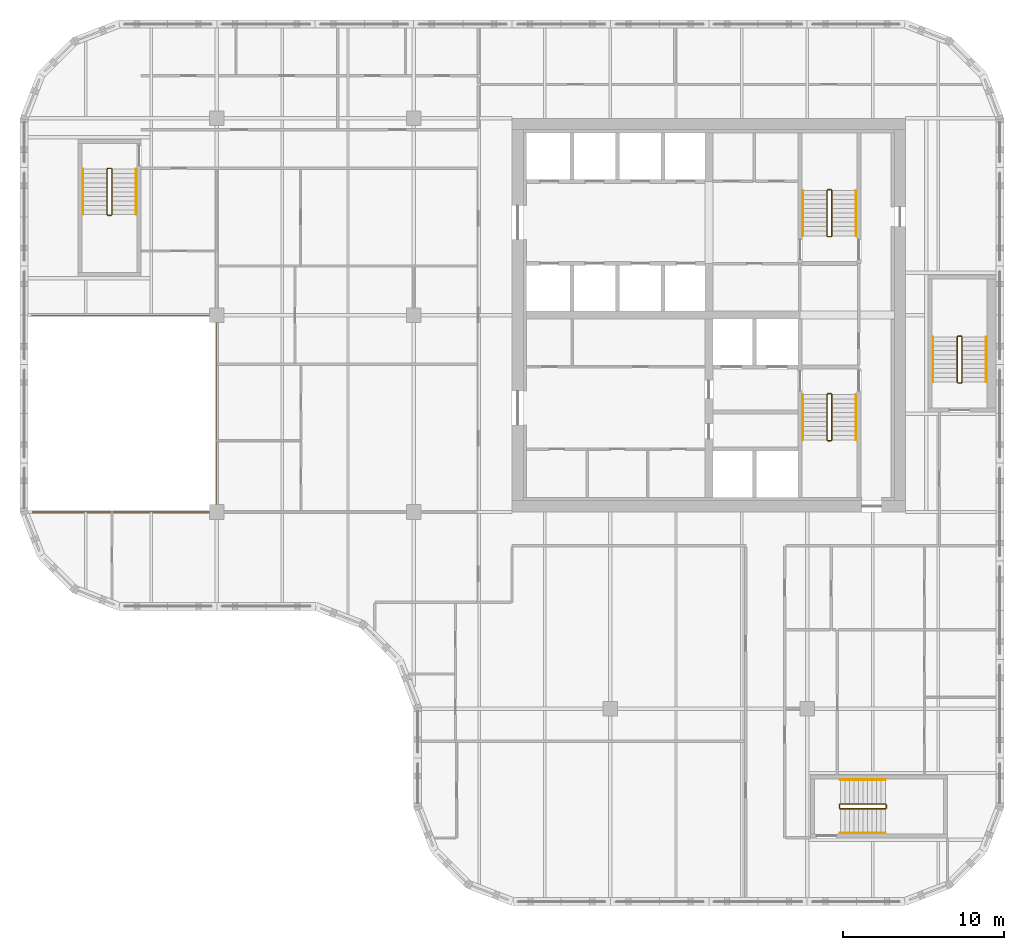
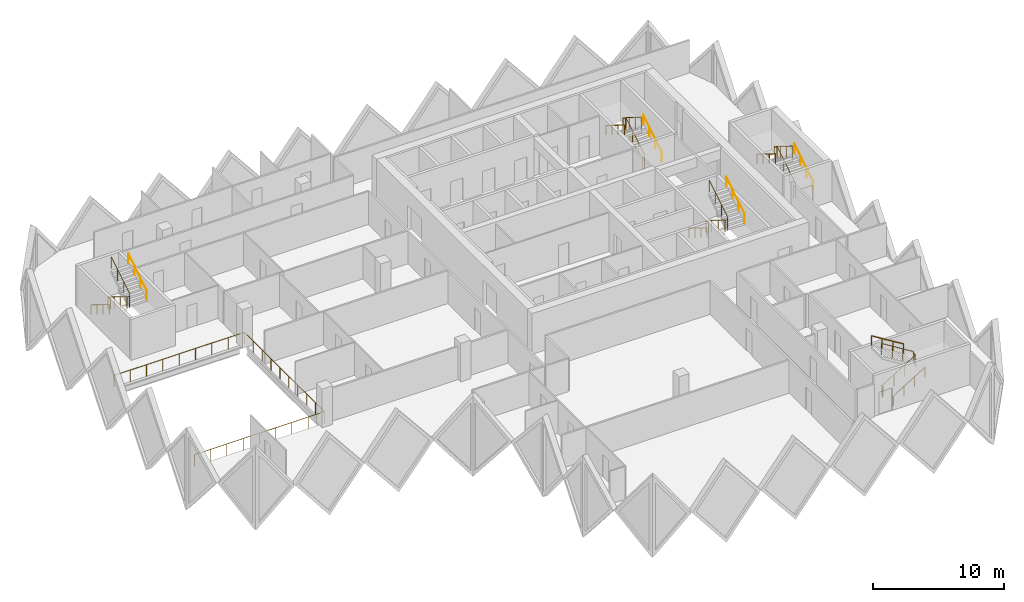
# One storey, part 12 of 12: 16 railings.
"""IFC4 building model written with IfcOpenShell, lengths in metres."""

from ifc_helpers import new_model, si_unit, direction, frame, origin, origin_2d, place, context, subcontext, project, spatial, circle, extrude, material, type_object, element, save


model = new_model("IFC4")

# Units and contexts
model_context = context("Model", 3, precision=1e-05, world=origin(), true_north=direction((0.0, 1.0)))
body_context = subcontext(model_context, "Body", "Model", "MODEL_VIEW")
ifc_project = project(units=[si_unit("LENGTHUNIT", "METRE"), si_unit("AREAUNIT", "SQUARE_METRE"), si_unit("VOLUMEUNIT", "CUBIC_METRE"), si_unit("PLANEANGLEUNIT", "RADIAN"), si_unit("MASSUNIT", "GRAM", prefix="KILO")], contexts=[model_context])

# Site, building, storey
site_placement = place(None, origin())
site = spatial("IfcSite", under=ifc_project, at=site_placement, CompositionType="ELEMENT")
building_placement = place(site_placement, origin())
building = spatial("IfcBuilding", under=site, at=building_placement, Name="Tessera Gate Towers", CompositionType="ELEMENT")
storey_placement = place(building_placement, frame((0.0, 0.0, 139.199951171875)))
storey = spatial("IfcBuildingStorey", under=building, at=storey_placement, Name="L34", CompositionType="ELEMENT", Elevation=139.199951171875)

# Railings
ifc_material_1 = material(Name="Toughened glass with stainless steel handrail", Category="steel")
railing_type_1 = type_object("IfcRailingType", Name="GUARD 1100 GLASS BALUSTRADE", PredefinedType="GUARDRAIL", material=ifc_material_1)
railing_1_placement = place(storey_placement, frame((0.750244140625, 24.39990234375, 0.0)))
element("IfcRailing", 1, at=railing_1_placement, inside=storey, type_object=railing_type_1, Name="Guard", PredefinedType="GUARDRAIL", context=body_context, shape_type="SweptSolid", body=[
    extrude(circle(Radius=0.02490234375, at=origin_2d()), frame((0.0, 0.0, 1.0751953125), z_axis=(1.0, 0.0, 0.0), x_axis=(0.0, 1.0, 0.0)), (0.0, 0.0, 1.0), 11.44970703125),
    extrude(circle(Radius=0.02490234375, at=origin_2d()), frame((11.44970703125, 0.0, 1.0751953125), z_axis=(0.0, 1.0, 0.0), x_axis=(-1.0, 0.0, 0.0)), (0.0, 0.0, 1.0), 12.2001953125),
    extrude(circle(Radius=0.02490234375, at=origin_2d()), frame((11.44970703125, 12.2001953125, 1.0751953125), z_axis=(-1.0, 0.0, 0.0), x_axis=(0.0, -1.0, 0.0)), (0.0, 0.0, 1.0), 11.5),
    extrude(circle(Radius=0.02490234375, at=origin_2d()), origin(), (0.0, 0.0, 1.0), 1.050048828125),
    extrude(circle(Radius=0.02490234375, at=origin_2d()), frame((1.43115234375, 0.0, 0.0)), (0.0, 0.0, 1.0), 1.050048828125),
    extrude(circle(Radius=0.02490234375, at=origin_2d()), frame((2.8623046875, 0.0, 0.0)), (0.0, 0.0, 1.0), 1.050048828125),
    extrude(circle(Radius=0.02490234375, at=origin_2d()), frame((4.293701171875, 0.0, 0.0)), (0.0, 0.0, 1.0), 1.050048828125),
    extrude(circle(Radius=0.02490234375, at=origin_2d()), frame((5.724853515625, 0.0, 0.0)), (0.0, 0.0, 1.0), 1.050048828125),
    extrude(circle(Radius=0.02490234375, at=origin_2d()), frame((7.156005859375, 0.0, 0.0)), (0.0, 0.0, 1.0), 1.050048828125),
    extrude(circle(Radius=0.02490234375, at=origin_2d()), frame((8.58740234375, 0.0, 0.0)), (0.0, 0.0, 1.0), 1.050048828125),
    extrude(circle(Radius=0.02490234375, at=origin_2d()), frame((10.0185546875, 0.0, 0.0)), (0.0, 0.0, 1.0), 1.050048828125),
    extrude(circle(Radius=0.02490234375, at=origin_2d()), frame((11.44970703125, 0.0, 0.0)), (0.0, 0.0, 1.0), 1.050048828125),
    extrude(circle(Radius=0.02490234375, at=origin_2d()), frame((11.44970703125, 1.35546875, 0.0)), (0.0, 0.0, 1.0), 1.050048828125),
    extrude(circle(Radius=0.02490234375, at=origin_2d()), frame((11.44970703125, 2.711181640625, 0.0)), (0.0, 0.0, 1.0), 1.050048828125),
    extrude(circle(Radius=0.02490234375, at=origin_2d()), frame((11.44970703125, 4.066650390625, 0.0)), (0.0, 0.0, 1.0), 1.050048828125),
    extrude(circle(Radius=0.02490234375, at=origin_2d()), frame((11.44970703125, 5.42236328125, 0.0)), (0.0, 0.0, 1.0), 1.050048828125),
    extrude(circle(Radius=0.02490234375, at=origin_2d()), frame((11.44970703125, 6.77783203125, 0.0)), (0.0, 0.0, 1.0), 1.050048828125),
    extrude(circle(Radius=0.02490234375, at=origin_2d()), frame((11.44970703125, 8.133544921875, 0.0)), (0.0, 0.0, 1.0), 1.050048828125),
    extrude(circle(Radius=0.02490234375, at=origin_2d()), frame((11.44970703125, 9.489013671875, 0.0)), (0.0, 0.0, 1.0), 1.050048828125),
    extrude(circle(Radius=0.02490234375, at=origin_2d()), frame((11.44970703125, 10.8447265625, 0.0)), (0.0, 0.0, 1.0), 1.050048828125),
    extrude(circle(Radius=0.02490234375, at=origin_2d()), frame((11.44970703125, 12.2001953125, 0.0)), (0.0, 0.0, 1.0), 1.050048828125),
    extrude(circle(Radius=0.02490234375, at=origin_2d()), frame((10.01220703125, 12.2001953125, 0.0)), (0.0, 0.0, 1.0), 1.050048828125),
    extrude(circle(Radius=0.02490234375, at=origin_2d()), frame((8.57470703125, 12.2001953125, 0.0)), (0.0, 0.0, 1.0), 1.050048828125),
    extrude(circle(Radius=0.02490234375, at=origin_2d()), frame((7.13720703125, 12.2001953125, 0.0)), (0.0, 0.0, 1.0), 1.050048828125),
    extrude(circle(Radius=0.02490234375, at=origin_2d()), frame((5.69970703125, 12.2001953125, 0.0)), (0.0, 0.0, 1.0), 1.050048828125),
    extrude(circle(Radius=0.02490234375, at=origin_2d()), frame((4.26220703125, 12.2001953125, 0.0)), (0.0, 0.0, 1.0), 1.050048828125),
    extrude(circle(Radius=0.02490234375, at=origin_2d()), frame((2.82470703125, 12.2001953125, 0.0)), (0.0, 0.0, 1.0), 1.050048828125),
    extrude(circle(Radius=0.02490234375, at=origin_2d()), frame((1.38720703125, 12.2001953125, 0.0)), (0.0, 0.0, 1.0), 1.050048828125),
    extrude(circle(Radius=0.02490234375, at=origin_2d()), frame((-0.05029296875, 12.2001953125, 0.0)), (0.0, 0.0, 1.0), 1.050048828125),
])
ifc_material_2 = material(Name="Steel 350W", Category="steel")
railing_type_2 = type_object("IfcRailingType", Name="STAIR GUARD 1100", PredefinedType="GUARDRAIL", material=ifc_material_2)
railing_2_placement = place(storey_placement, frame((50.27490234375, 31.72509765625, 0.0)))
element("IfcRailing", 2, at=railing_2_placement, inside=storey, type_object=railing_type_2, Name="L34 ST1 stair guard 1", PredefinedType="GUARDRAIL", context=body_context, shape_type="SweptSolid", body=[
    extrude(circle(Radius=0.02392578125, at=origin_2d()), frame((0.0, 0.0, 1.076171875), z_axis=(-1.0, 0.0, 0.0), x_axis=(0.0, -1.0, 0.0)), (0.0, 0.0, 1.0), 0.199951171875),
    extrude(circle(Radius=0.02392578125, at=origin_2d()), frame((-0.199951171875, 0.0, 1.076171875), z_axis=(-0.267953482034, -0.267953482034, 0.925419830635), x_axis=(0.707106781187, -0.707106781187, 0.0)), (0.0, 0.0, 1.0), 0.186767578125),
    extrude(circle(Radius=0.02392578125, at=origin_2d()), frame((-0.25, -0.050048828125, 1.2490234375), z_axis=(0.0, -0.851089632645, 0.525020415988), x_axis=(1.0, 0.0, 0.0)), (0.0, 0.0, 1.0), 3.2900390625),
    extrude(circle(Radius=0.02392578125, at=origin_2d()), frame((-0.25, -2.85009765625, 2.97607421875), z_axis=(0.707106781187, -0.707106781187, 0.0), x_axis=(0.707106781187, 0.707106781187, 0.0)), (0.0, 0.0, 1.0), 0.07080078125),
    extrude(circle(Radius=0.02392578125, at=origin_2d()), frame((-0.199951171875, -2.900146484375, 2.97607421875), z_axis=(1.0, 0.0, 0.0), x_axis=(0.0, 1.0, 0.0)), (0.0, 0.0, 1.0), 0.199951171875),
    extrude(circle(Radius=0.02392578125, at=origin_2d()), frame((0.0, -2.900146484375, 2.97607421875), z_axis=(0.268277960024, 0.268277960024, 0.925231793839), x_axis=(-0.707106781187, 0.707106781187, 0.0)), (0.0, 0.0, 1.0), 0.1865234375),
    extrude(circle(Radius=0.02392578125, at=origin_2d()), frame((0.050048828125, -2.85009765625, 3.14892578125), z_axis=(0.0, 0.851089632645, 0.525020415988), x_axis=(-1.0, 0.0, 0.0)), (0.0, 0.0, 1.0), 3.2900390625),
    extrude(circle(Radius=0.02099609375, at=origin_2d()), origin(), (0.0, 0.0, 1.0), 1.052001953125),
    extrude(circle(Radius=0.02099609375, at=origin_2d()), frame((-0.199951171875, 0.0, 0.0)), (0.0, 0.0, 1.0), 1.052001953125),
    extrude(circle(Radius=0.02099609375, at=origin_2d()), frame((-0.25, -0.050048828125, 0.1728515625)), (0.0, 0.0, 1.0), 1.052001953125),
    extrude(circle(Radius=0.02099609375, at=origin_2d()), frame((-0.25, -0.9833984375, 0.74853515625)), (0.0, 0.0, 1.0), 1.052001953125),
    extrude(circle(Radius=0.02099609375, at=origin_2d()), frame((-0.25, -1.916748046875, 1.324462890625)), (0.0, 0.0, 1.0), 1.052001953125),
    extrude(circle(Radius=0.02099609375, at=origin_2d()), frame((-0.25, -2.85009765625, 1.900146484375)), (0.0, 0.0, 1.0), 1.052001953125),
    extrude(circle(Radius=0.02099609375, at=origin_2d()), frame((-0.199951171875, -2.900146484375, 1.900146484375)), (0.0, 0.0, 1.0), 1.052001953125),
    extrude(circle(Radius=0.02099609375, at=origin_2d()), frame((0.0, -2.900146484375, 1.900146484375)), (0.0, 0.0, 1.0), 1.052001953125),
    extrude(circle(Radius=0.02099609375, at=origin_2d()), frame((0.050048828125, -2.85009765625, 2.07275390625)), (0.0, 0.0, 1.0), 1.052001953125),
    extrude(circle(Radius=0.02099609375, at=origin_2d()), frame((0.050048828125, -1.916748046875, 2.6484375)), (0.0, 0.0, 1.0), 1.052001953125),
    extrude(circle(Radius=0.02099609375, at=origin_2d()), frame((0.050048828125, -0.9833984375, 3.224365234375)), (0.0, 0.0, 1.0), 1.052001953125),
    extrude(circle(Radius=0.02099609375, at=origin_2d()), frame((0.050048828125, -0.050048828125, 3.800048828125)), (0.0, 0.0, 1.0), 1.052001953125),
])
railing_3_placement = place(storey_placement, frame((50.074951171875, 41.47509765625, 0.0)))
element("IfcRailing", 3, at=railing_3_placement, inside=storey, type_object=railing_type_2, Name="L34 ST2 stair guard 1", PredefinedType="GUARDRAIL", context=body_context, shape_type="SweptSolid", body=[
    extrude(circle(Radius=0.02392578125, at=origin_2d()), frame((0.0, 0.0, 1.076171875), z_axis=(1.0, 0.0, 0.0), x_axis=(0.0, 1.0, 0.0)), (0.0, 0.0, 1.0), 0.199951171875),
    extrude(circle(Radius=0.02392578125, at=origin_2d()), frame((0.199951171875, 0.0, 1.076171875), z_axis=(0.268047150085, 0.266739603011, 0.925743328097), x_axis=(-0.705375805398, 0.708833529934, 0.0)), (0.0, 0.0, 1.0), 0.186767578125),
    extrude(circle(Radius=0.02392578125, at=origin_2d()), frame((0.25, 0.0498046875, 1.2490234375), z_axis=(0.0, 0.851089632645, 0.525020415988), x_axis=(-1.0, 0.0, 0.0)), (0.0, 0.0, 1.0), 3.2900390625),
    extrude(circle(Radius=0.02392578125, at=origin_2d()), frame((0.25, 2.849853515625, 2.97607421875), z_axis=(-0.707106781187, 0.707106781187, 0.0), x_axis=(-0.707106781187, -0.707106781187, 0.0)), (0.0, 0.0, 1.0), 0.07080078125),
    extrude(circle(Radius=0.02392578125, at=origin_2d()), frame((0.199951171875, 2.89990234375, 2.97607421875), z_axis=(-1.0, 0.0, 0.0), x_axis=(0.0, -1.0, 0.0)), (0.0, 0.0, 1.0), 0.199951171875),
    extrude(circle(Radius=0.02392578125, at=origin_2d()), frame((0.0, 2.89990234375, 2.97607421875), z_axis=(-0.268277960024, -0.268277960024, 0.925231793839), x_axis=(0.707106781187, -0.707106781187, 0.0)), (0.0, 0.0, 1.0), 0.1865234375),
    extrude(circle(Radius=0.02392578125, at=origin_2d()), frame((-0.050048828125, 2.849853515625, 3.14892578125), z_axis=(0.0, -0.851089632645, 0.525020415988), x_axis=(1.0, 0.0, 0.0)), (0.0, 0.0, 1.0), 3.2900390625),
    extrude(circle(Radius=0.02099609375, at=origin_2d()), origin(), (0.0, 0.0, 1.0), 1.052001953125),
    extrude(circle(Radius=0.02099609375, at=origin_2d()), frame((0.199951171875, 0.0, 0.0)), (0.0, 0.0, 1.0), 1.052001953125),
    extrude(circle(Radius=0.02099609375, at=origin_2d()), frame((0.25, 0.0498046875, 0.1728515625)), (0.0, 0.0, 1.0), 1.052001953125),
    extrude(circle(Radius=0.02099609375, at=origin_2d()), frame((0.25, 0.983154296875, 0.74853515625)), (0.0, 0.0, 1.0), 1.052001953125),
    extrude(circle(Radius=0.02099609375, at=origin_2d()), frame((0.25, 1.91650390625, 1.324462890625)), (0.0, 0.0, 1.0), 1.052001953125),
    extrude(circle(Radius=0.02099609375, at=origin_2d()), frame((0.25, 2.849853515625, 1.900146484375)), (0.0, 0.0, 1.0), 1.052001953125),
    extrude(circle(Radius=0.02099609375, at=origin_2d()), frame((0.199951171875, 2.89990234375, 1.900146484375)), (0.0, 0.0, 1.0), 1.052001953125),
    extrude(circle(Radius=0.02099609375, at=origin_2d()), frame((0.0, 2.89990234375, 1.900146484375)), (0.0, 0.0, 1.0), 1.052001953125),
    extrude(circle(Radius=0.02099609375, at=origin_2d()), frame((-0.050048828125, 2.849853515625, 2.07275390625)), (0.0, 0.0, 1.0), 1.052001953125),
    extrude(circle(Radius=0.02099609375, at=origin_2d()), frame((-0.050048828125, 1.91650390625, 2.6484375)), (0.0, 0.0, 1.0), 1.052001953125),
    extrude(circle(Radius=0.02099609375, at=origin_2d()), frame((-0.050048828125, 0.983154296875, 3.224365234375)), (0.0, 0.0, 1.0), 1.052001953125),
    extrude(circle(Radius=0.02099609375, at=origin_2d()), frame((-0.050048828125, 0.0498046875, 3.800048828125)), (0.0, 0.0, 1.0), 1.052001953125),
])
railing_4_placement = place(storey_placement, frame((5.64990234375, 45.699951171875, 0.0)))
element("IfcRailing", 4, at=railing_4_placement, inside=storey, type_object=railing_type_2, Name="L34 ST3 stair guard 1", PredefinedType="GUARDRAIL", context=body_context, shape_type="SweptSolid", body=[
    extrude(circle(Radius=0.02392578125, at=origin_2d()), frame((0.0, 0.0, 1.076171875), z_axis=(-1.0, 0.0, 0.0), x_axis=(0.0, -1.0, 0.0)), (0.0, 0.0, 1.0), 0.199951171875),
    extrude(circle(Radius=0.02392578125, at=origin_2d()), frame((-0.199951171875, 0.0, 1.076171875), z_axis=(-0.267953482034, -0.267953482034, 0.925419830635), x_axis=(0.707106781187, -0.707106781187, 0.0)), (0.0, 0.0, 1.0), 0.186767578125),
    extrude(circle(Radius=0.02392578125, at=origin_2d()), frame((-0.25, -0.050048828125, 1.2490234375), z_axis=(0.0, -0.851069175582, 0.525053576669), x_axis=(1.0, 0.0, 0.0)), (0.0, 0.0, 1.0), 3.289794921875),
    extrude(circle(Radius=0.02392578125, at=origin_2d()), frame((-0.25, -2.849853515625, 2.97607421875), z_axis=(0.707106781187, -0.707106781187, 0.0), x_axis=(0.707106781187, 0.707106781187, 0.0)), (0.0, 0.0, 1.0), 0.07080078125),
    extrude(circle(Radius=0.02392578125, at=origin_2d()), frame((-0.199951171875, -2.89990234375, 2.97607421875), z_axis=(1.0, 0.0, 0.0), x_axis=(0.0, 1.0, 0.0)), (0.0, 0.0, 1.0), 0.199951171875),
    extrude(circle(Radius=0.02392578125, at=origin_2d()), frame((0.0, -2.89990234375, 2.97607421875), z_axis=(0.268277960024, 0.268277960024, 0.925231793839), x_axis=(-0.707106781187, 0.707106781187, 0.0)), (0.0, 0.0, 1.0), 0.1865234375),
    extrude(circle(Radius=0.02392578125, at=origin_2d()), frame((0.050048828125, -2.849853515625, 3.14892578125), z_axis=(0.0, 0.851069175582, 0.525053576669), x_axis=(-1.0, 0.0, 0.0)), (0.0, 0.0, 1.0), 3.289794921875),
    extrude(circle(Radius=0.02099609375, at=origin_2d()), origin(), (0.0, 0.0, 1.0), 1.052001953125),
    extrude(circle(Radius=0.02099609375, at=origin_2d()), frame((-0.199951171875, 0.0, 0.0)), (0.0, 0.0, 1.0), 1.052001953125),
    extrude(circle(Radius=0.02099609375, at=origin_2d()), frame((-0.25, -0.050048828125, 0.1728515625)), (0.0, 0.0, 1.0), 1.052001953125),
    extrude(circle(Radius=0.02099609375, at=origin_2d()), frame((-0.25, -0.9833984375, 0.74853515625)), (0.0, 0.0, 1.0), 1.052001953125),
    extrude(circle(Radius=0.02099609375, at=origin_2d()), frame((-0.25, -1.91650390625, 1.324462890625)), (0.0, 0.0, 1.0), 1.052001953125),
    extrude(circle(Radius=0.02099609375, at=origin_2d()), frame((-0.25, -2.849853515625, 1.900146484375)), (0.0, 0.0, 1.0), 1.052001953125),
    extrude(circle(Radius=0.02099609375, at=origin_2d()), frame((-0.199951171875, -2.89990234375, 1.900146484375)), (0.0, 0.0, 1.0), 1.052001953125),
    extrude(circle(Radius=0.02099609375, at=origin_2d()), frame((0.0, -2.89990234375, 1.900146484375)), (0.0, 0.0, 1.0), 1.052001953125),
    extrude(circle(Radius=0.02099609375, at=origin_2d()), frame((0.050048828125, -2.849853515625, 2.07275390625)), (0.0, 0.0, 1.0), 1.052001953125),
    extrude(circle(Radius=0.02099609375, at=origin_2d()), frame((0.050048828125, -1.91650390625, 2.6484375)), (0.0, 0.0, 1.0), 1.052001953125),
    extrude(circle(Radius=0.02099609375, at=origin_2d()), frame((0.050048828125, -0.9833984375, 3.224365234375)), (0.0, 0.0, 1.0), 1.052001953125),
    extrude(circle(Radius=0.02099609375, at=origin_2d()), frame((0.050048828125, -0.050048828125, 3.800048828125)), (0.0, 0.0, 1.0), 1.052001953125),
])
railing_5_placement = place(storey_placement, frame((50.800048828125, 6.25, 0.0)))
element("IfcRailing", 5, at=railing_5_placement, inside=storey, type_object=railing_type_2, Name="L34 ST4 stair guard 1", PredefinedType="GUARDRAIL", context=body_context, shape_type="SweptSolid", body=[
    extrude(circle(Radius=0.02392578125, at=origin_2d()), frame((0.0, 0.0, 1.076171875), z_axis=(0.0, -1.0, 0.0), x_axis=(1.0, 0.0, 0.0)), (0.0, 0.0, 1.0), 0.199951171875),
    extrude(circle(Radius=0.02392578125, at=origin_2d()), frame((0.0, -0.199951171875, 1.076171875), z_axis=(0.267953482034, -0.267953482034, 0.925419830635), x_axis=(0.707106781187, 0.707106781187, 0.0)), (0.0, 0.0, 1.0), 0.186767578125),
    extrude(circle(Radius=0.02392578125, at=origin_2d()), frame((0.050048828125, -0.25, 1.2490234375), z_axis=(0.851069175582, 0.0, 0.525053576669), x_axis=(0.0, 1.0, 0.0)), (0.0, 0.0, 1.0), 3.289794921875),
    extrude(circle(Radius=0.02392578125, at=origin_2d()), frame((2.849853515625, -0.25, 2.97607421875), z_axis=(0.707106781187, 0.707106781187, 0.0), x_axis=(-0.707106781187, 0.707106781187, 0.0)), (0.0, 0.0, 1.0), 0.07080078125),
    extrude(circle(Radius=0.02392578125, at=origin_2d()), frame((2.89990234375, -0.199951171875, 2.97607421875), z_axis=(0.0, 1.0, 0.0), x_axis=(-1.0, 0.0, 0.0)), (0.0, 0.0, 1.0), 0.199951171875),
    extrude(circle(Radius=0.02392578125, at=origin_2d()), frame((2.89990234375, 0.0, 2.97607421875), z_axis=(-0.268277960024, 0.268277960024, 0.925231793839), x_axis=(-0.707106781187, -0.707106781187, 0.0)), (0.0, 0.0, 1.0), 0.1865234375),
    extrude(circle(Radius=0.02392578125, at=origin_2d()), frame((2.849853515625, 0.050048828125, 3.14892578125), z_axis=(-0.851069175582, 0.0, 0.525053576669), x_axis=(0.0, -1.0, 0.0)), (0.0, 0.0, 1.0), 3.289794921875),
    extrude(circle(Radius=0.02099609375, at=origin_2d()), origin(), (0.0, 0.0, 1.0), 1.052001953125),
    extrude(circle(Radius=0.02099609375, at=origin_2d()), frame((0.0, -0.199951171875, 0.0)), (0.0, 0.0, 1.0), 1.052001953125),
    extrude(circle(Radius=0.02099609375, at=origin_2d()), frame((0.050048828125, -0.25, 0.1728515625)), (0.0, 0.0, 1.0), 1.052001953125),
    extrude(circle(Radius=0.02099609375, at=origin_2d()), frame((0.9833984375, -0.25, 0.74853515625)), (0.0, 0.0, 1.0), 1.052001953125),
    extrude(circle(Radius=0.02099609375, at=origin_2d()), frame((1.91650390625, -0.25, 1.324462890625)), (0.0, 0.0, 1.0), 1.052001953125),
    extrude(circle(Radius=0.02099609375, at=origin_2d()), frame((2.849853515625, -0.25, 1.900146484375)), (0.0, 0.0, 1.0), 1.052001953125),
    extrude(circle(Radius=0.02099609375, at=origin_2d()), frame((2.89990234375, -0.199951171875, 1.900146484375)), (0.0, 0.0, 1.0), 1.052001953125),
    extrude(circle(Radius=0.02099609375, at=origin_2d()), frame((2.89990234375, 0.0, 1.900146484375)), (0.0, 0.0, 1.0), 1.052001953125),
    extrude(circle(Radius=0.02099609375, at=origin_2d()), frame((2.849853515625, 0.050048828125, 2.07275390625)), (0.0, 0.0, 1.0), 1.052001953125),
    extrude(circle(Radius=0.02099609375, at=origin_2d()), frame((1.91650390625, 0.050048828125, 2.6484375)), (0.0, 0.0, 1.0), 1.052001953125),
    extrude(circle(Radius=0.02099609375, at=origin_2d()), frame((0.9833984375, 0.050048828125, 3.224365234375)), (0.0, 0.0, 1.0), 1.052001953125),
    extrude(circle(Radius=0.02099609375, at=origin_2d()), frame((0.050048828125, 0.050048828125, 3.800048828125)), (0.0, 0.0, 1.0), 1.052001953125),
])
railing_6_placement = place(storey_placement, frame((58.14990234375, 32.39990234375, 0.0)))
element("IfcRailing", 6, at=railing_6_placement, inside=storey, type_object=railing_type_2, Name="L34 ST5 stair guard 1", PredefinedType="GUARDRAIL", context=body_context, shape_type="SweptSolid", body=[
    extrude(circle(Radius=0.02392578125, at=origin_2d()), frame((0.0, 0.0, 1.076171875), z_axis=(1.0, 0.0, 0.0), x_axis=(0.0, 1.0, 0.0)), (0.0, 0.0, 1.0), 0.2001953125),
    extrude(circle(Radius=0.02392578125, at=origin_2d()), frame((0.2001953125, 0.0, 1.076171875), z_axis=(0.266739603011, 0.268047150085, 0.925743328097), x_axis=(-0.708833529934, 0.705375805398, 0.0)), (0.0, 0.0, 1.0), 0.186767578125),
    extrude(circle(Radius=0.02392578125, at=origin_2d()), frame((0.25, 0.050048828125, 1.2490234375), z_axis=(0.0, 0.851089632645, 0.525020415988), x_axis=(-1.0, 0.0, 0.0)), (0.0, 0.0, 1.0), 3.2900390625),
    extrude(circle(Radius=0.02392578125, at=origin_2d()), frame((0.25, 2.85009765625, 2.97607421875), z_axis=(-0.705375805398, 0.708833529934, 0.0), x_axis=(-0.708833529934, -0.705375805398, 0.0)), (0.0, 0.0, 1.0), 0.070556640625),
    extrude(circle(Radius=0.02392578125, at=origin_2d()), frame((0.2001953125, 2.900146484375, 2.97607421875), z_axis=(-1.0, 0.0, 0.0), x_axis=(0.0, -1.0, 0.0)), (0.0, 0.0, 1.0), 0.2001953125),
    extrude(circle(Radius=0.02392578125, at=origin_2d()), frame((0.0, 2.900146484375, 2.97607421875), z_axis=(-0.267062837333, -0.268371968888, 0.925556009775), x_axis=(0.708833529934, -0.705375805398, 0.0)), (0.0, 0.0, 1.0), 0.1865234375),
    extrude(circle(Radius=0.02392578125, at=origin_2d()), frame((-0.0498046875, 2.85009765625, 3.14892578125), z_axis=(0.0, -0.851089632645, 0.525020415988), x_axis=(1.0, 0.0, 0.0)), (0.0, 0.0, 1.0), 3.2900390625),
    extrude(circle(Radius=0.02099609375, at=origin_2d()), origin(), (0.0, 0.0, 1.0), 1.052001953125),
    extrude(circle(Radius=0.02099609375, at=origin_2d()), frame((0.2001953125, 0.0, 0.0)), (0.0, 0.0, 1.0), 1.052001953125),
    extrude(circle(Radius=0.02099609375, at=origin_2d()), frame((0.25, 0.050048828125, 0.1728515625)), (0.0, 0.0, 1.0), 1.052001953125),
    extrude(circle(Radius=0.02099609375, at=origin_2d()), frame((0.25, 0.9833984375, 0.74853515625)), (0.0, 0.0, 1.0), 1.052001953125),
    extrude(circle(Radius=0.02099609375, at=origin_2d()), frame((0.25, 1.916748046875, 1.324462890625)), (0.0, 0.0, 1.0), 1.052001953125),
    extrude(circle(Radius=0.02099609375, at=origin_2d()), frame((0.25, 2.85009765625, 1.900146484375)), (0.0, 0.0, 1.0), 1.052001953125),
    extrude(circle(Radius=0.02099609375, at=origin_2d()), frame((0.2001953125, 2.900146484375, 1.900146484375)), (0.0, 0.0, 1.0), 1.052001953125),
    extrude(circle(Radius=0.02099609375, at=origin_2d()), frame((0.0, 2.900146484375, 1.900146484375)), (0.0, 0.0, 1.0), 1.052001953125),
    extrude(circle(Radius=0.02099609375, at=origin_2d()), frame((-0.0498046875, 2.85009765625, 2.07275390625)), (0.0, 0.0, 1.0), 1.052001953125),
    extrude(circle(Radius=0.02099609375, at=origin_2d()), frame((-0.0498046875, 1.916748046875, 2.6484375)), (0.0, 0.0, 1.0), 1.052001953125),
    extrude(circle(Radius=0.02099609375, at=origin_2d()), frame((-0.0498046875, 0.9833984375, 3.224365234375)), (0.0, 0.0, 1.0), 1.052001953125),
    extrude(circle(Radius=0.02099609375, at=origin_2d()), frame((-0.0498046875, 0.050048828125, 3.800048828125)), (0.0, 0.0, 1.0), 1.052001953125),
])
ifc_material_3 = material(Name="Steel 350W", Category="steel")
railing_type_3 = type_object("IfcRailingType", Name="STAIR HANDRAIL 900", PredefinedType="HANDRAIL", material=ifc_material_3)
railing_7_placement = place(storey_placement, frame((48.52490234375, 31.675048828125, 0.1728515625)))
element("IfcRailing", 7, at=railing_7_placement, inside=storey, type_object=railing_type_3, Name="L34 ST1 stair handrail 1", PredefinedType="HANDRAIL", context=body_context, shape_type="SweptSolid", body=[
    extrude(circle(Radius=0.02392578125, at=origin_2d()), frame((0.0, 0.0, 0.8759765625), z_axis=(0.0, -0.851089632645, 0.525020415988), x_axis=(1.0, 0.0, 0.0)), (0.0, 0.0, 1.0), 3.2900390625),
    extrude(circle(Radius=0.02099609375, at=origin_2d()), origin(), (0.0, 0.0, 1.0), 0.851806640625),
    extrude(circle(Radius=0.02099609375, at=origin_2d()), frame((0.0, -0.933349609375, 0.57568359375)), (0.0, 0.0, 1.0), 0.851806640625),
    extrude(circle(Radius=0.02099609375, at=origin_2d()), frame((0.0, -1.86669921875, 1.151611328125)), (0.0, 0.0, 1.0), 0.851806640625),
    extrude(circle(Radius=0.02099609375, at=origin_2d()), frame((0.0, -2.800048828125, 1.727294921875)), (0.0, 0.0, 1.0), 0.851806640625),
])
for number, where, name in (
    (8, (51.824951171875, 28.875, 2.07275390625), "L34 ST1 stair handrail 2"),
    (9, (51.824951171875, 41.52490234375, 0.1728515625), "L34 ST2 stair handrail 1"),
):
    element("IfcRailing", number, at=place(storey_placement, frame(where)), inside=storey, type_object=railing_type_3, Name=name, PredefinedType="HANDRAIL", context=body_context, shape_type="SweptSolid", body=[
        extrude(circle(Radius=0.02392578125, at=origin_2d()), frame((0.0, 0.0, 0.8759765625), z_axis=(0.0, 0.851089632645, 0.525020415988), x_axis=(-1.0, 0.0, 0.0)), (0.0, 0.0, 1.0), 3.2900390625),
        extrude(circle(Radius=0.02099609375, at=origin_2d()), origin(), (0.0, 0.0, 1.0), 0.851806640625),
        extrude(circle(Radius=0.02099609375, at=origin_2d()), frame((0.0, 0.933349609375, 0.57568359375)), (0.0, 0.0, 1.0), 0.851806640625),
        extrude(circle(Radius=0.02099609375, at=origin_2d()), frame((0.0, 1.86669921875, 1.151611328125)), (0.0, 0.0, 1.0), 0.851806640625),
        extrude(circle(Radius=0.02099609375, at=origin_2d()), frame((0.0, 2.800048828125, 1.727294921875)), (0.0, 0.0, 1.0), 0.851806640625),
    ])
railing_8_placement = place(storey_placement, frame((48.52490234375, 44.324951171875, 2.07275390625)))
element("IfcRailing", 10, at=railing_8_placement, inside=storey, type_object=railing_type_3, Name="L34 ST2 stair handrail 2", PredefinedType="HANDRAIL", context=body_context, shape_type="SweptSolid", body=[
    extrude(circle(Radius=0.02392578125, at=origin_2d()), frame((0.0, 0.0, 0.8759765625), z_axis=(0.0, -0.851089632645, 0.525020415988), x_axis=(1.0, 0.0, 0.0)), (0.0, 0.0, 1.0), 3.2900390625),
    extrude(circle(Radius=0.02099609375, at=origin_2d()), origin(), (0.0, 0.0, 1.0), 0.851806640625),
    extrude(circle(Radius=0.02099609375, at=origin_2d()), frame((0.0, -0.933349609375, 0.57568359375)), (0.0, 0.0, 1.0), 0.851806640625),
    extrude(circle(Radius=0.02099609375, at=origin_2d()), frame((0.0, -1.86669921875, 1.151611328125)), (0.0, 0.0, 1.0), 0.851806640625),
    extrude(circle(Radius=0.02099609375, at=origin_2d()), frame((0.0, -2.800048828125, 1.727294921875)), (0.0, 0.0, 1.0), 0.851806640625),
])
railing_9_placement = place(storey_placement, frame((3.89990234375, 45.64990234375, 0.1728515625)))
element("IfcRailing", 11, at=railing_9_placement, inside=storey, type_object=railing_type_3, Name="L34 ST3 stair handrail 1", PredefinedType="HANDRAIL", context=body_context, shape_type="SweptSolid", body=[
    extrude(circle(Radius=0.02392578125, at=origin_2d()), frame((0.0, 0.0, 0.8759765625), z_axis=(0.0, -0.851069175582, 0.525053576669), x_axis=(1.0, 0.0, 0.0)), (0.0, 0.0, 1.0), 3.289794921875),
    extrude(circle(Radius=0.02099609375, at=origin_2d()), origin(), (0.0, 0.0, 1.0), 0.851806640625),
    extrude(circle(Radius=0.02099609375, at=origin_2d()), frame((0.0, -0.933349609375, 0.57568359375)), (0.0, 0.0, 1.0), 0.851806640625),
    extrude(circle(Radius=0.02099609375, at=origin_2d()), frame((0.0, -1.866455078125, 1.151611328125)), (0.0, 0.0, 1.0), 0.851806640625),
    extrude(circle(Radius=0.02099609375, at=origin_2d()), frame((0.0, -2.7998046875, 1.727294921875)), (0.0, 0.0, 1.0), 0.851806640625),
])
railing_10_placement = place(storey_placement, frame((7.199951171875, 42.85009765625, 2.07275390625)))
element("IfcRailing", 12, at=railing_10_placement, inside=storey, type_object=railing_type_3, Name="L34 ST3 stair handrail 2", PredefinedType="HANDRAIL", context=body_context, shape_type="SweptSolid", body=[
    extrude(circle(Radius=0.02392578125, at=origin_2d()), frame((0.0, 0.0, 0.8759765625), z_axis=(0.0, 0.851069175582, 0.525053576669), x_axis=(-1.0, 0.0, 0.0)), (0.0, 0.0, 1.0), 3.289794921875),
    extrude(circle(Radius=0.02099609375, at=origin_2d()), origin(), (0.0, 0.0, 1.0), 0.851806640625),
    extrude(circle(Radius=0.02099609375, at=origin_2d()), frame((0.0, 0.933349609375, 0.57568359375)), (0.0, 0.0, 1.0), 0.851806640625),
    extrude(circle(Radius=0.02099609375, at=origin_2d()), frame((0.0, 1.866455078125, 1.151611328125)), (0.0, 0.0, 1.0), 0.851806640625),
    extrude(circle(Radius=0.02099609375, at=origin_2d()), frame((0.0, 2.7998046875, 1.727294921875)), (0.0, 0.0, 1.0), 0.851806640625),
])
railing_11_placement = place(storey_placement, frame((50.85009765625, 4.5, 0.1728515625)))
element("IfcRailing", 13, at=railing_11_placement, inside=storey, type_object=railing_type_3, Name="L34 ST4 stair handrail 1", PredefinedType="HANDRAIL", context=body_context, shape_type="SweptSolid", body=[
    extrude(circle(Radius=0.02392578125, at=origin_2d()), frame((0.0, 0.0, 0.8759765625), z_axis=(0.851069175582, 0.0, 0.525053576669), x_axis=(0.0, 1.0, 0.0)), (0.0, 0.0, 1.0), 3.289794921875),
    extrude(circle(Radius=0.02099609375, at=origin_2d()), origin(), (0.0, 0.0, 1.0), 0.851806640625),
    extrude(circle(Radius=0.02099609375, at=origin_2d()), frame((0.933349609375, 0.0, 0.57568359375)), (0.0, 0.0, 1.0), 0.851806640625),
    extrude(circle(Radius=0.02099609375, at=origin_2d()), frame((1.866455078125, 0.0, 1.151611328125)), (0.0, 0.0, 1.0), 0.851806640625),
    extrude(circle(Radius=0.02099609375, at=origin_2d()), frame((2.7998046875, 0.0, 1.727294921875)), (0.0, 0.0, 1.0), 0.851806640625),
])
railing_12_placement = place(storey_placement, frame((53.64990234375, 7.800048828125, 2.07275390625)))
element("IfcRailing", 14, at=railing_12_placement, inside=storey, type_object=railing_type_3, Name="L34 ST4 stair handrail 2", PredefinedType="HANDRAIL", context=body_context, shape_type="SweptSolid", body=[
    extrude(circle(Radius=0.02392578125, at=origin_2d()), frame((0.0, 0.0, 0.8759765625), z_axis=(-0.851069175582, 0.0, 0.525053576669), x_axis=(0.0, -1.0, 0.0)), (0.0, 0.0, 1.0), 3.289794921875),
    extrude(circle(Radius=0.02099609375, at=origin_2d()), origin(), (0.0, 0.0, 1.0), 0.851806640625),
    extrude(circle(Radius=0.02099609375, at=origin_2d()), frame((-0.933349609375, 0.0, 0.57568359375)), (0.0, 0.0, 1.0), 0.851806640625),
    extrude(circle(Radius=0.02099609375, at=origin_2d()), frame((-1.866455078125, 0.0, 1.151611328125)), (0.0, 0.0, 1.0), 0.851806640625),
    extrude(circle(Radius=0.02099609375, at=origin_2d()), frame((-2.7998046875, 0.0, 1.727294921875)), (0.0, 0.0, 1.0), 0.851806640625),
])
railing_13_placement = place(storey_placement, frame((59.89990234375, 32.449951171875, 0.1728515625)))
element("IfcRailing", 15, at=railing_13_placement, inside=storey, type_object=railing_type_3, Name="L34 ST5 stair handrail 1", PredefinedType="HANDRAIL", context=body_context, shape_type="SweptSolid", body=[
    extrude(circle(Radius=0.02392578125, at=origin_2d()), frame((0.0, 0.0, 0.8759765625), z_axis=(0.0, 0.851089632645, 0.525020415988), x_axis=(-1.0, 0.0, 0.0)), (0.0, 0.0, 1.0), 3.2900390625),
    extrude(circle(Radius=0.02099609375, at=origin_2d()), origin(), (0.0, 0.0, 1.0), 0.851806640625),
    extrude(circle(Radius=0.02099609375, at=origin_2d()), frame((0.0, 0.933349609375, 0.57568359375)), (0.0, 0.0, 1.0), 0.851806640625),
    extrude(circle(Radius=0.02099609375, at=origin_2d()), frame((0.0, 1.86669921875, 1.151611328125)), (0.0, 0.0, 1.0), 0.851806640625),
    extrude(circle(Radius=0.02099609375, at=origin_2d()), frame((0.0, 2.800048828125, 1.727294921875)), (0.0, 0.0, 1.0), 0.851806640625),
])
railing_14_placement = place(storey_placement, frame((56.60009765625, 35.25, 2.07275390625)))
element("IfcRailing", 16, at=railing_14_placement, inside=storey, type_object=railing_type_3, Name="L34 ST5 stair handrail 2", PredefinedType="HANDRAIL", context=body_context, shape_type="SweptSolid", body=[
    extrude(circle(Radius=0.02392578125, at=origin_2d()), frame((0.0, 0.0, 0.8759765625), z_axis=(0.0, -0.851089632645, 0.525020415988), x_axis=(1.0, 0.0, 0.0)), (0.0, 0.0, 1.0), 3.2900390625),
    extrude(circle(Radius=0.02099609375, at=origin_2d()), origin(), (0.0, 0.0, 1.0), 0.851806640625),
    extrude(circle(Radius=0.02099609375, at=origin_2d()), frame((0.0, -0.933349609375, 0.57568359375)), (0.0, 0.0, 1.0), 0.851806640625),
    extrude(circle(Radius=0.02099609375, at=origin_2d()), frame((0.0, -1.86669921875, 1.151611328125)), (0.0, 0.0, 1.0), 0.851806640625),
    extrude(circle(Radius=0.02099609375, at=origin_2d()), frame((0.0, -2.800048828125, 1.727294921875)), (0.0, 0.0, 1.0), 0.851806640625),
])

save(model, "model.ifc")
